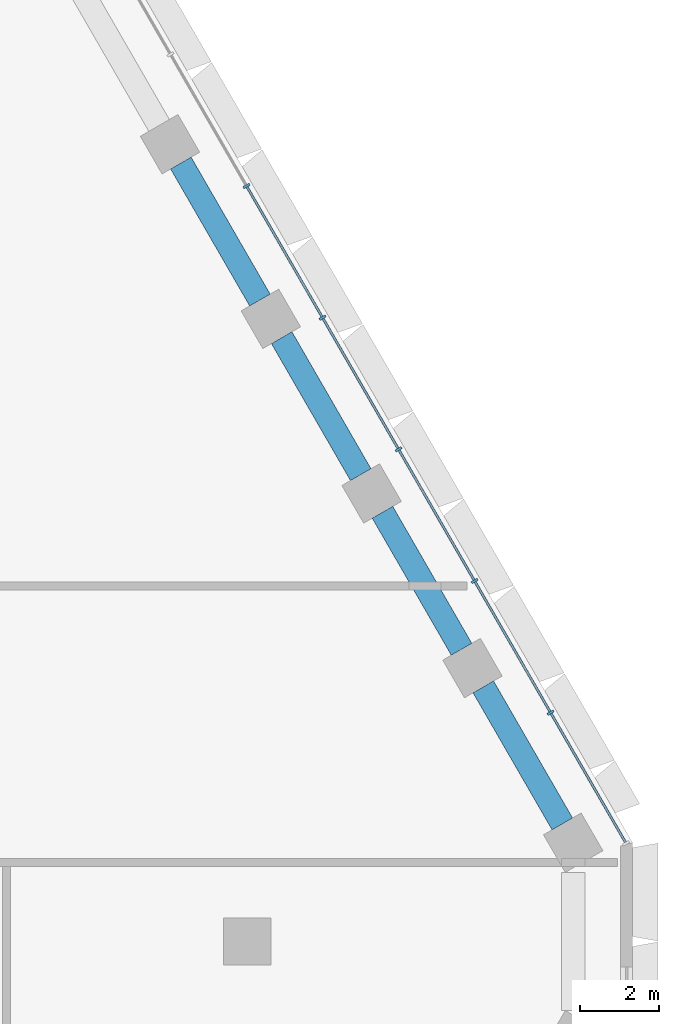
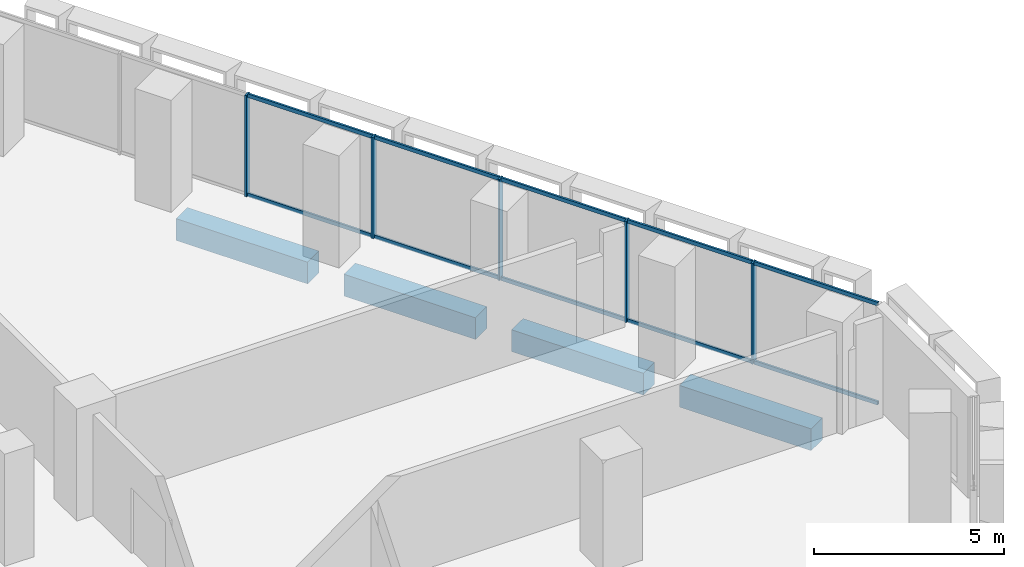
# One storey, part 8 of 22: 15 members, 4 beams, 1 element without a shape of its own.
"""IFC4 building model written with IfcOpenShell, lengths in metres."""

from ifc_helpers import new_model, si_unit, direction, frame, origin, origin_2d, place, context, subcontext, project, spatial, rectangle, hollow_rectangle, extrude, material, material_profile, profile_set, type_object, element, aggregate, save


model = new_model("IFC4")

# Units and contexts
model_context = context("Model", 3, precision=1e-05, world=origin(), true_north=direction((0.0, 1.0)))
body_context = subcontext(model_context, "Body", "Model", "MODEL_VIEW")
ifc_project = project(units=[si_unit("LENGTHUNIT", "METRE"), si_unit("AREAUNIT", "SQUARE_METRE"), si_unit("VOLUMEUNIT", "CUBIC_METRE"), si_unit("PLANEANGLEUNIT", "RADIAN"), si_unit("MASSUNIT", "GRAM", prefix="KILO")], contexts=[model_context])

# Site, building, storey
site_placement = place(None, origin())
site = spatial("IfcSite", under=ifc_project, at=site_placement, CompositionType="ELEMENT")
building_placement = place(site_placement, origin())
building = spatial("IfcBuilding", under=site, at=building_placement, Name="Beryl Residences", CompositionType="ELEMENT")
storey_placement = place(building_placement, frame((0.0, 0.0, 12.60009765625)))
storey = spatial("IfcBuildingStorey", under=building, at=storey_placement, Name="L03", CompositionType="ELEMENT", Elevation=12.60009765625)

# Curtain wall, members
ifc_material_1 = material(Name="Aluminium and clear glass", Category="aluminium")
curtain_wall_type = type_object("IfcCurtainWallType", Name="CW2 amenity glazing glazed wall", PredefinedType="NOTDEFINED", material=ifc_material_1)
curtain_wall_placement = place(storey_placement, origin())
curtain_wall = element("IfcCurtainWall", 1, at=curtain_wall_placement, inside=storey, type_object=curtain_wall_type, Name="CW2 L03 NE", PredefinedType="NOTDEFINED")
ifc_material_2 = material(Name="Aluminium", Category="aluminium")
ifc_material_profile_1 = material_profile(ifc_material_2, rectangle(XDim=0.06005859375, YDim=0.179931640625, at=origin_2d()))
ifc_profile_set_1 = profile_set([ifc_material_profile_1], Name="Aluminium")
member_type_1 = type_object("IfcMemberType", Name="CW2-M mullion 60 x 180 mm", PredefinedType="MULLION", material=ifc_profile_set_1)
member_1_placement = place(storey_placement, frame((29.275634765625, 5.79296875, 0.0), z_axis=(0.0, 0.0, 1.0), x_axis=(-0.500011643322, 0.866018681405, 0.0)))
member_1 = element("IfcMember", 2, at=member_1_placement, type_object=member_type_1, Name="CW2 mullion 2", PredefinedType="MULLION", context=body_context, shape_type="SweptSolid", body=[
    extrude(rectangle(XDim=0.06005859375, YDim=0.179931640625, at=origin_2d()), origin(), (0.0, 0.0, 1.0), 3.25),
])
member_2_placement = place(storey_placement, frame((27.351318359375, 9.125732421875, 0.0), z_axis=(0.0, 0.0, 1.0), x_axis=(-0.500011643322, 0.866018681405, 0.0)))
member_2 = element("IfcMember", 3, at=member_2_placement, type_object=member_type_1, Name="CW2 mullion 3", PredefinedType="MULLION", context=body_context, shape_type="SweptSolid", body=[
    extrude(rectangle(XDim=0.06005859375, YDim=0.179931640625, at=origin_2d()), origin(), (0.0, 0.0, 1.0), 3.25),
])
member_3_placement = place(storey_placement, frame((25.42724609375, 12.45849609375, 0.0), z_axis=(0.0, 0.0, 1.0), x_axis=(-0.500011643322, 0.866018681405, 0.0)))
member_3 = element("IfcMember", 4, at=member_3_placement, type_object=member_type_1, Name="CW2 mullion 4", PredefinedType="MULLION", context=body_context, shape_type="SweptSolid", body=[
    extrude(rectangle(XDim=0.06005859375, YDim=0.179931640625, at=origin_2d()), origin(), (0.0, 0.0, 1.0), 3.25),
])
member_4_placement = place(storey_placement, frame((23.5029296875, 15.79150390625, 0.0), z_axis=(0.0, 0.0, 1.0), x_axis=(-0.500011643322, 0.866018681405, 0.0)))
member_4 = element("IfcMember", 5, at=member_4_placement, type_object=member_type_1, Name="CW2 mullion 5", PredefinedType="MULLION", context=body_context, shape_type="SweptSolid", body=[
    extrude(rectangle(XDim=0.06005859375, YDim=0.179931640625, at=origin_2d()), origin(), (0.0, 0.0, 1.0), 3.25),
])
member_5_placement = place(storey_placement, frame((21.57861328125, 19.124267578125, 0.0), z_axis=(0.0, 0.0, 1.0), x_axis=(-0.500011643322, 0.866018681405, 0.0)))
member_5 = element("IfcMember", 6, at=member_5_placement, type_object=member_type_1, Name="CW2 mullion 6", PredefinedType="MULLION", context=body_context, shape_type="SweptSolid", body=[
    extrude(rectangle(XDim=0.06005859375, YDim=0.179931640625, at=origin_2d()), origin(), (0.0, 0.0, 1.0), 3.25),
])
ifc_material_3 = material(Name="Aluminium", Category="aluminium")
ifc_material_profile_2 = material_profile(ifc_material_3, hollow_rectangle(XDim=0.06005859375, YDim=0.1201171875, WallThickness=0.00390625, at=origin_2d()))
ifc_profile_set_2 = profile_set([ifc_material_profile_2], Name="Aluminium")
member_type_2 = type_object("IfcMemberType", Name="CW2-T transom 60 x 120 mm", PredefinedType="USERDEFINED", material=ifc_profile_set_2)
member_6_placement = place(storey_placement, frame((31.169921875, 2.511962890625, 0.02978515625), z_axis=(-0.499988609959, 0.866031979728, 0.0), x_axis=(-0.866031979728, -0.499988609959, 0.0)))
member_6 = element("IfcMember", 7, at=member_6_placement, type_object=member_type_2, Name="CW2 transom 1.1", ObjectType="TRANSOM", PredefinedType="USERDEFINED", context=body_context, shape_type="SweptSolid", body=[
    extrude(hollow_rectangle(XDim=0.06005859375, YDim=0.1201171875, WallThickness=0.00390625, at=origin_2d()), origin(), (0.0, 0.0, 1.0), 3.75830078125),
])
member_7_placement = place(storey_placement, frame((31.169921875, 2.511962890625, 3.219970703125), z_axis=(-0.499988609959, 0.866031979728, 0.0), x_axis=(-0.866031979728, -0.499988609959, 0.0)))
member_7 = element("IfcMember", 8, at=member_7_placement, type_object=member_type_2, Name="CW2 transom 1.2", ObjectType="TRANSOM", PredefinedType="USERDEFINED", context=body_context, shape_type="SweptSolid", body=[
    extrude(hollow_rectangle(XDim=0.06005859375, YDim=0.1201171875, WallThickness=0.00390625, at=origin_2d()), origin(), (0.0, 0.0, 1.0), 3.75830078125),
])
member_8_placement = place(storey_placement, frame((29.2607421875, 5.81884765625, 0.02978515625), z_axis=(-0.499999503755, 0.866025690291, 0.0), x_axis=(-0.866025690291, -0.499999503755, 0.0)))
member_8 = element("IfcMember", 9, at=member_8_placement, type_object=member_type_2, Name="CW2 transom 2.1", ObjectType="TRANSOM", PredefinedType="USERDEFINED", context=body_context, shape_type="SweptSolid", body=[
    extrude(hollow_rectangle(XDim=0.06005859375, YDim=0.1201171875, WallThickness=0.00390625, at=origin_2d()), origin(), (0.0, 0.0, 1.0), 3.78857421875),
])
member_9_placement = place(storey_placement, frame((29.2607421875, 5.81884765625, 3.219970703125), z_axis=(-0.499999503755, 0.866025690291, 0.0), x_axis=(-0.866025690291, -0.499999503755, 0.0)))
member_9 = element("IfcMember", 10, at=member_9_placement, type_object=member_type_2, Name="CW2 transom 2.2", ObjectType="TRANSOM", PredefinedType="USERDEFINED", context=body_context, shape_type="SweptSolid", body=[
    extrude(hollow_rectangle(XDim=0.06005859375, YDim=0.1201171875, WallThickness=0.00390625, at=origin_2d()), origin(), (0.0, 0.0, 1.0), 3.78857421875),
])
member_10_placement = place(storey_placement, frame((27.33642578125, 9.151611328125, 0.02978515625), z_axis=(-0.499999503755, 0.866025690291, 0.0), x_axis=(-0.866025690291, -0.499999503755, 0.0)))
member_10 = element("IfcMember", 11, at=member_10_placement, type_object=member_type_2, Name="CW2 transom 3.1", ObjectType="TRANSOM", PredefinedType="USERDEFINED", context=body_context, shape_type="SweptSolid", body=[
    extrude(hollow_rectangle(XDim=0.06005859375, YDim=0.1201171875, WallThickness=0.00390625, at=origin_2d()), origin(), (0.0, 0.0, 1.0), 3.78857421875),
])
member_11_placement = place(storey_placement, frame((27.33642578125, 9.151611328125, 3.219970703125), z_axis=(-0.499999503755, 0.866025690291, 0.0), x_axis=(-0.866025690291, -0.499999503755, 0.0)))
member_11 = element("IfcMember", 12, at=member_11_placement, type_object=member_type_2, Name="CW2 transom 3.2", ObjectType="TRANSOM", PredefinedType="USERDEFINED", context=body_context, shape_type="SweptSolid", body=[
    extrude(hollow_rectangle(XDim=0.06005859375, YDim=0.1201171875, WallThickness=0.00390625, at=origin_2d()), origin(), (0.0, 0.0, 1.0), 3.78857421875),
])
member_12_placement = place(storey_placement, frame((25.412109375, 12.484619140625, 0.02978515625), z_axis=(-0.500027408906, 0.866009578667, 0.0), x_axis=(-0.866009578667, -0.500027408906, 0.0)))
member_12 = element("IfcMember", 13, at=member_12_placement, type_object=member_type_2, Name="CW2 transom 4.1", ObjectType="TRANSOM", PredefinedType="USERDEFINED", context=body_context, shape_type="SweptSolid", body=[
    extrude(hollow_rectangle(XDim=0.06005859375, YDim=0.1201171875, WallThickness=0.00390625, at=origin_2d()), origin(), (0.0, 0.0, 1.0), 3.788330078125),
])
member_13_placement = place(storey_placement, frame((25.412109375, 12.484619140625, 3.219970703125), z_axis=(-0.500027408906, 0.866009578667, 0.0), x_axis=(-0.866009578667, -0.500027408906, 0.0)))
member_13 = element("IfcMember", 14, at=member_13_placement, type_object=member_type_2, Name="CW2 transom 4.2", ObjectType="TRANSOM", PredefinedType="USERDEFINED", context=body_context, shape_type="SweptSolid", body=[
    extrude(hollow_rectangle(XDim=0.06005859375, YDim=0.1201171875, WallThickness=0.00390625, at=origin_2d()), origin(), (0.0, 0.0, 1.0), 3.788330078125),
])
member_14_placement = place(storey_placement, frame((23.48779296875, 15.8173828125, 0.02978515625), z_axis=(-0.499999503755, 0.866025690291, 0.0), x_axis=(-0.866025690291, -0.499999503755, 0.0)))
member_14 = element("IfcMember", 15, at=member_14_placement, type_object=member_type_2, Name="CW2 transom 5.1", ObjectType="TRANSOM", PredefinedType="USERDEFINED", context=body_context, shape_type="SweptSolid", body=[
    extrude(hollow_rectangle(XDim=0.06005859375, YDim=0.1201171875, WallThickness=0.00390625, at=origin_2d()), origin(), (0.0, 0.0, 1.0), 3.78857421875),
])
member_15_placement = place(storey_placement, frame((23.48779296875, 15.8173828125, 3.219970703125), z_axis=(-0.499999503755, 0.866025690291, 0.0), x_axis=(-0.866025690291, -0.499999503755, 0.0)))
member_15 = element("IfcMember", 16, at=member_15_placement, type_object=member_type_2, Name="CW2 transom 5.2", ObjectType="TRANSOM", PredefinedType="USERDEFINED", context=body_context, shape_type="SweptSolid", body=[
    extrude(hollow_rectangle(XDim=0.06005859375, YDim=0.1201171875, WallThickness=0.00390625, at=origin_2d()), origin(), (0.0, 0.0, 1.0), 3.78857421875),
])
aggregate(curtain_wall, [member_1, member_2, member_3, member_4, member_5, member_6, member_7, member_8, member_9, member_10, member_11, member_12, member_13, member_14, member_15])

# Beams
ifc_material_4 = material(Name="Concrete C80/95", Category="concrete")
ifc_material_profile_3 = material_profile(ifc_material_4, rectangle(XDim=0.60009765625, YDim=0.699951171875, at=origin_2d()))
ifc_profile_set_3 = profile_set([ifc_material_profile_3], Name="Concrete C80/95")
beam_type = type_object("IfcBeamType", Name="SB1 spandrel beam 600 x 700 C80/95", PredefinedType="SPANDREL", material=ifc_profile_set_3)
beam_placement = place(storey_placement, frame((29.572998046875, 2.97607421875, -0.7001953125), z_axis=(-0.499653843024, 0.866225165388, 0.0), x_axis=(-0.866225165388, -0.499653843024, 0.0)))
element("IfcBeam", 17, at=beam_placement, inside=storey, type_object=beam_type, Name="SB1 L03 NE-0", PredefinedType="SPANDREL", context=body_context, shape_type="SweptSolid", body=[
    extrude(rectangle(XDim=0.60009765625, YDim=0.699951171875, at=origin_2d()), origin(), (0.0, 0.0, 1.0), 4.004638671875),
])
for number, where, z_axis, x_axis, name in (
    (18, (27.02197265625, 7.39697265625, -0.7001953125), (-0.499942357345, 0.866058681229, 0.0), (-0.866058681229, -0.499942357345, 0.0), "SB1 L03 NE-1"),
    (19, (24.469970703125, 11.81689453125, -0.7001953125), (-0.499942357345, 0.866058681229, 0.0), (-0.866058681229, -0.499942357345, 0.0), "SB1 L03 NE-2"),
    (20, (21.91796875, 16.237060546875, -0.7001953125), (-0.499942357345, 0.866058681229, 0.0), (-0.866058681229, -0.499942357345, 0.0), "SB1 L03 NE-3"),
):
    element("IfcBeam", number, at=place(storey_placement, frame(where, z_axis=z_axis, x_axis=x_axis)), inside=storey, type_object=beam_type, Name=name, PredefinedType="SPANDREL", context=body_context, shape_type="SweptSolid", body=[
        extrude(rectangle(XDim=0.60009765625, YDim=0.699951171875, at=origin_2d()), origin(), (0.0, 0.0, 1.0), 4.00439453125),
    ])

save(model, "model.ifc")
